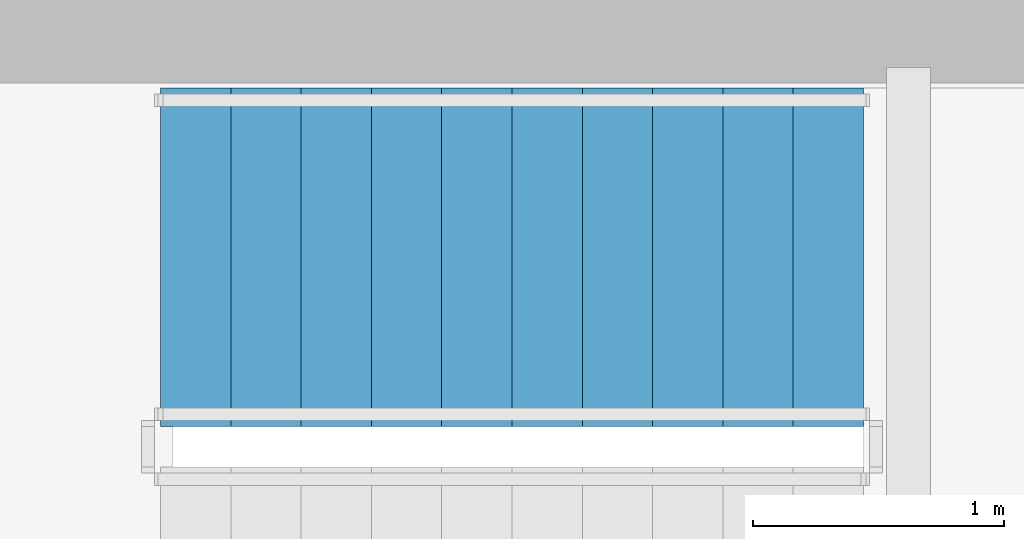
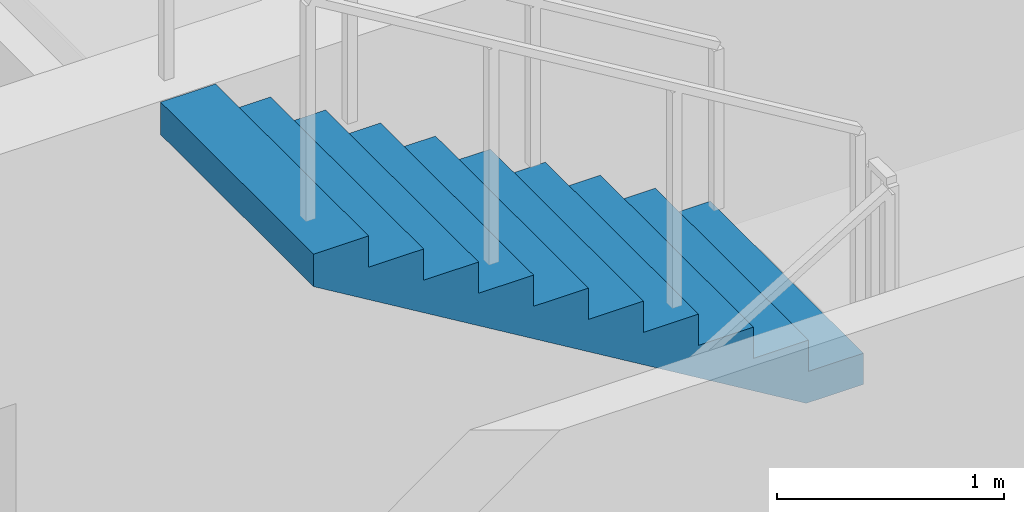
# One storey, part 16 of 19: 1 stair flight, 1 element without a shape of its own.
"""IFC4 building model written with IfcOpenShell, lengths in metres."""

from ifc_helpers import new_model, si_unit, direction, frame, origin, place, context, subcontext, project, spatial, polyline, outline, extrude, material, type_object, element, aggregate, save


model = new_model("IFC4")

# Units and contexts
model_context = context("Model", 3, precision=1e-05, world=origin(), true_north=direction((0.0, 1.0)))
body_context = subcontext(model_context, "Body", "Model", "MODEL_VIEW")
ifc_project = project(units=[si_unit("LENGTHUNIT", "METRE"), si_unit("AREAUNIT", "SQUARE_METRE"), si_unit("VOLUMEUNIT", "CUBIC_METRE"), si_unit("PLANEANGLEUNIT", "RADIAN"), si_unit("MASSUNIT", "GRAM", prefix="KILO")], contexts=[model_context])

# Site, building, storey
site_placement = place(None, origin())
site = spatial("IfcSite", under=ifc_project, at=site_placement, CompositionType="ELEMENT")
building_placement = place(site_placement, origin())
building = spatial("IfcBuilding", under=site, at=building_placement, Name="Qianvela Tower", CompositionType="ELEMENT")
storey_placement = place(building_placement, frame((0.0, 0.0, 268.60009765625)))
storey = spatial("IfcBuildingStorey", under=building, at=storey_placement, Name="L69", CompositionType="ELEMENT", Elevation=268.60009765625)

# Stair, stair flight
ifc_material_1 = material(Name="Concrete C40", Category="concrete")
stair_type = type_object("IfcStairType", Name="ST-DOGLEG-1350-R168-N22", PredefinedType="HALF_TURN_STAIR", material=ifc_material_1)
stair_placement = place(storey_placement, origin())
stair = element("IfcStair", 1, at=stair_placement, inside=storey, type_object=stair_type, Name="L69 Smoke-Proof Core Stair ST-1", PredefinedType="HALF_TURN_STAIR")
ifc_material_2 = material(Name="Concrete C40", Category="concrete")
stair_flight_type = type_object("IfcStairFlightType", Name="STF-STRAIGHT-R168-P11", PredefinedType="STRAIGHT", material=ifc_material_2)
stair_flight_placement = place(storey_placement, frame((35.0, 31.72509765625, 1.849853515625), z_axis=(0.0, 0.0, 1.0), x_axis=(-1.0, 0.0, 0.0)))
stair_flight = element("IfcStairFlight", 2, at=stair_flight_placement, type_object=stair_flight_type, Name="ST-1 flight 2", NumberOfRisers=11, NumberOfTreads=10, PredefinedType="STRAIGHT", RiserHeight=0.168181818, TreadLength=0.28, context=body_context, shape_type="SweptSolid", body=[
    extrude(outline(polyline([(0.0, 0.0), (0.0, 0.168212890625), (0.280029296875, 0.168212890625), (0.280029296875, 0.33642578125), (0.56005859375, 0.33642578125), (0.56005859375, 0.504638671875), (0.840087890625, 0.504638671875), (0.840087890625, 0.672607421875), (1.1201171875, 0.672607421875), (1.1201171875, 0.8408203125), (1.39990234375, 0.8408203125), (1.39990234375, 1.009033203125), (1.679931640625, 1.009033203125), (1.679931640625, 1.17724609375), (1.9599609375, 1.17724609375), (1.9599609375, 1.345458984375), (2.239990234375, 1.345458984375), (2.239990234375, 1.513671875), (2.52001953125, 1.513671875), (2.52001953125, 1.681884765625), (2.800048828125, 1.681884765625), (2.800048828125, 1.85009765625), (2.800048828125, 1.5068359375), (0.291015625, 0.0), (0.0, 0.0)])), frame((0.0, 0.675048828125, 0.0), z_axis=(0.0, -1.0, 0.0), x_axis=(1.0, 0.0, 0.0)), (0.0, 0.0, 1.0), 1.35009765625),
])
aggregate(stair, [stair_flight])

save(model, "model.ifc")
